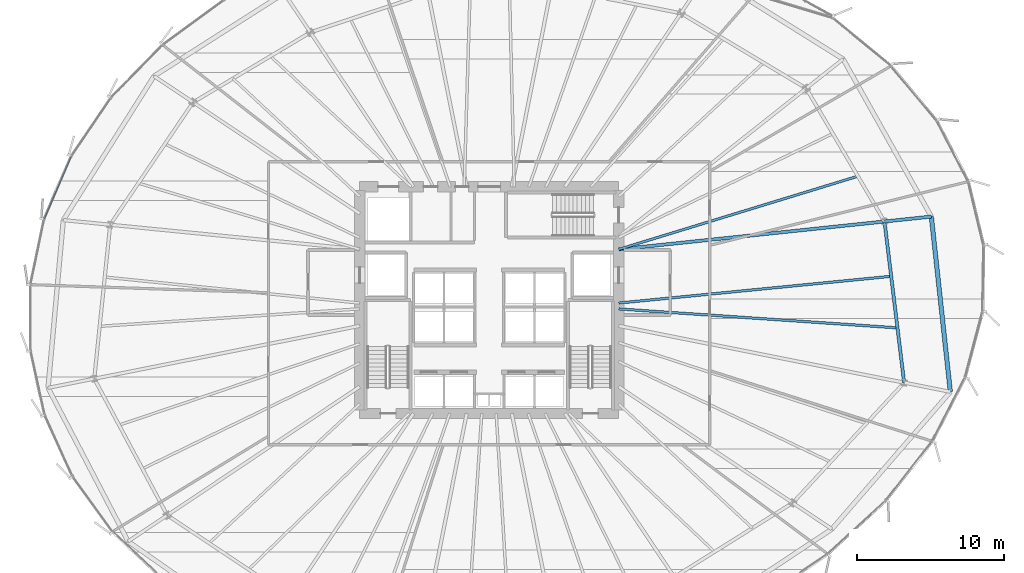
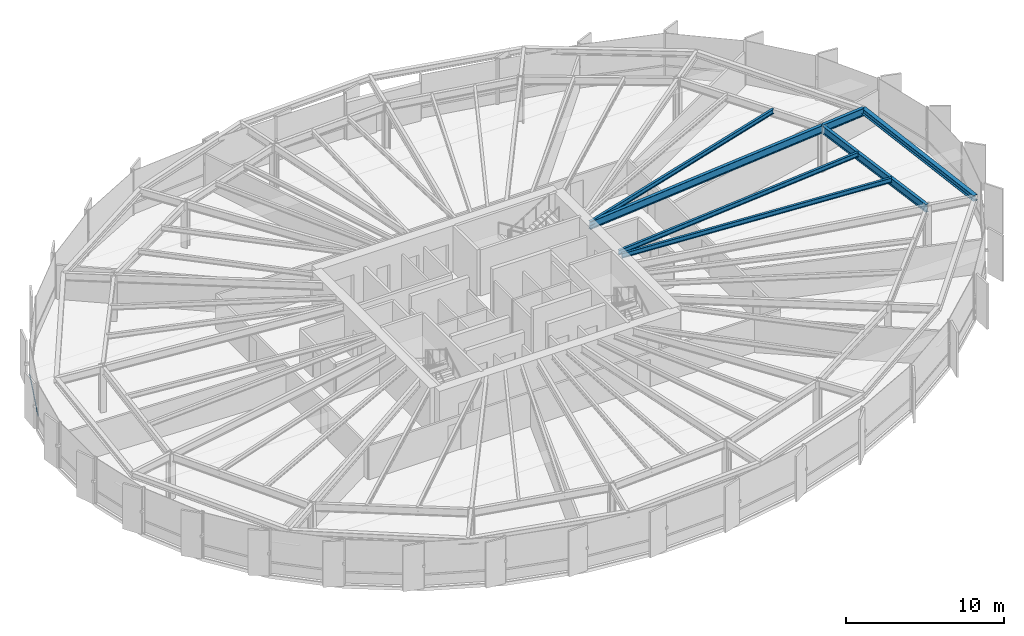
# One storey, part 17 of 37: 7 beams, 1 member, 1 element without a shape of its own.
"""IFC4 building model written with IfcOpenShell, lengths in metres."""

from ifc_helpers import new_model, si_unit, direction, frame, origin, origin_2d, place, context, subcontext, project, spatial, hollow_rectangle, i_section, extrude, source, transform, mapped, material, layer, layer_set, material_profile, profile_set, type_object, element, aggregate, save


model = new_model("IFC4")

# Units and contexts
model_context = context("Model", 3, precision=1e-05, world=origin(), true_north=direction((0.0, 1.0)))
body_context = subcontext(model_context, "Body", "Model", "MODEL_VIEW")
ifc_project = project(units=[si_unit("LENGTHUNIT", "METRE"), si_unit("AREAUNIT", "SQUARE_METRE"), si_unit("VOLUMEUNIT", "CUBIC_METRE"), si_unit("PLANEANGLEUNIT", "RADIAN"), si_unit("MASSUNIT", "GRAM", prefix="KILO"), si_unit("THERMODYNAMICTEMPERATUREUNIT", "KELVIN")], contexts=[model_context])

# Site, building, storey
site_placement = place(None, origin())
site = spatial("IfcSite", under=ifc_project, at=site_placement, CompositionType="ELEMENT")
building_placement = place(site_placement, origin())
building = spatial("IfcBuilding", under=site, at=building_placement, Name="Kethvar Cultural Tower", CompositionType="ELEMENT")
storey_placement = place(building_placement, frame((0.0, 0.0, 56.199951171875)))
storey = spatial("IfcBuildingStorey", under=building, at=storey_placement, Name="L13", CompositionType="ELEMENT", Elevation=56.199951171875)

# Beams
ifc_material_1 = material(Name="Steel S355J2", Category="steel")
ifc_material_profile_1 = material_profile(ifc_material_1, i_section(OverallWidth=0.219970703125, OverallDepth=0.60009765625, WebThickness=0.011962890625, FlangeThickness=0.01904296875, FilletRadius=0.02392578125, at=origin_2d()), Name="Steel S355J2 — IPE600")
ifc_profile_set_1 = profile_set([ifc_material_profile_1], Name="Steel S355J2 — IPE600")
beam_type_1 = type_object("IfcBeamType", Name="BM-IPE600", PredefinedType="BEAM", material=ifc_profile_set_1)
shared_shape_1 = source(origin(), body_context, "Body", "SweptSolid", [
    extrude(i_section(OverallWidth=0.219970703125, OverallDepth=0.60009765625, WebThickness=0.011962890625, FlangeThickness=0.01904296875, FilletRadius=0.02392578125, at=origin_2d()), origin(), (0.0, 0.0, 1.0), 18.155517578125),
])
beam_1_placement = place(storey_placement, frame((55.60009765625, 31.25, 3.248046875), z_axis=(0.994554710129, 0.104215778847, 0.0), x_axis=(-0.104215778847, 0.994554710129, 0.0)))
element("IfcBeam", 1, at=beam_1_placement, inside=storey, type_object=beam_type_1, Name="L13 Primary Radial Beam RB-01", PredefinedType="BEAM", context=body_context, shape_type="MappedRepresentation", body=[
    mapped(shared_shape_1, transform((0.0, 0.0, 0.0), scale=1.0)),
])
shared_shape_2 = source(origin(), body_context, "Body", "SweptSolid", [
    extrude(i_section(OverallWidth=0.219970703125, OverallDepth=0.60009765625, WebThickness=0.011962890625, FlangeThickness=0.01904296875, FilletRadius=0.02392578125, at=origin_2d()), origin(), (0.0, 0.0, 1.0), 3.199951171875),
])
beam_2_placement = place(storey_placement, frame((73.65673828125, 33.14208984375, 3.248046875), z_axis=(0.994554671638, 0.104216146169, 0.0), x_axis=(-0.104216146169, 0.994554671638, 0.0)))
element("IfcBeam", 2, at=beam_2_placement, inside=storey, type_object=beam_type_1, Name="L13 Perimeter Cantilever Beam RC-01", PredefinedType="BEAM", context=body_context, shape_type="MappedRepresentation", body=[
    mapped(shared_shape_2, transform((0.0, 0.0, 0.0), scale=1.0)),
])
ifc_material_profile_2 = material_profile(ifc_material_1, i_section(OverallWidth=0.169921875, OverallDepth=0.360107421875, WebThickness=0.008056640625, FlangeThickness=0.0126953125, FilletRadius=0.01806640625, at=origin_2d()), Name="Steel S355J2 — IPE360")
ifc_profile_set_2 = profile_set([ifc_material_profile_2], Name="Steel S355J2 — IPE360")
beam_type_2 = type_object("IfcBeamType", Name="BM-J360", PredefinedType="JOIST", material=ifc_profile_set_2)
shared_shape_3 = source(origin(), body_context, "Body", "SweptSolid", [
    extrude(i_section(OverallWidth=0.169921875, OverallDepth=0.360107421875, WebThickness=0.008056640625, FlangeThickness=0.0126953125, FilletRadius=0.01806640625, at=origin_2d()), origin(), (0.0, 0.0, 1.0), 16.990478515625),
])
beam_3_placement = place(storey_placement, frame((55.60009765625, 31.25, 3.3681640625), z_axis=(0.956287408668, 0.292428439149, 0.0), x_axis=(-0.292428439149, 0.956287408668, 0.0)))
element("IfcBeam", 3, at=beam_3_placement, inside=storey, type_object=beam_type_2, Name="L13 Composite Floor Joist J-01A", PredefinedType="JOIST", context=body_context, shape_type="MappedRepresentation", body=[
    mapped(shared_shape_3, transform((0.0, 0.0, 0.0), scale=1.0)),
])
shared_shape_4 = source(origin(), body_context, "Body", "SweptSolid", [
    extrude(i_section(OverallWidth=0.219970703125, OverallDepth=0.60009765625, WebThickness=0.011962890625, FlangeThickness=0.01904296875, FilletRadius=0.02392578125, at=origin_2d()), origin(), (0.0, 0.0, 1.0), 11.03076171875),
])
beam_4_placement = place(storey_placement, frame((74.9912109375, 22.1923828125, 3.248046875), z_axis=(-0.120977779442, 0.992655215511, 0.0), x_axis=(-0.992655215511, -0.120977779442, 0.0)))
element("IfcBeam", 4, at=beam_4_placement, inside=storey, type_object=beam_type_1, Name="L13 Column Ring Tie Beam CR-16", PredefinedType="BEAM", context=body_context, shape_type="MappedRepresentation", body=[
    mapped(shared_shape_4, transform((0.0, 0.0, 0.0), scale=1.0)),
])
shared_shape_5 = source(origin(), body_context, "Body", "SweptSolid", [
    extrude(i_section(OverallWidth=0.169921875, OverallDepth=0.360107421875, WebThickness=0.008056640625, FlangeThickness=0.0126953125, FilletRadius=0.01806640625, at=origin_2d()), origin(), (0.0, 0.0, 1.0), 18.981201171875),
])
beam_5_placement = place(storey_placement, frame((55.60009765625, 27.2021484375, 3.3681640625), z_axis=(0.997699141247, -0.067796928805, 0.0), x_axis=(0.067796928805, 0.997699141247, 0.0)))
element("IfcBeam", 5, at=beam_5_placement, inside=storey, type_object=beam_type_2, Name="L13 Composite Floor Joist J-16A", PredefinedType="JOIST", context=body_context, shape_type="MappedRepresentation", body=[
    mapped(shared_shape_5, transform((0.0, 0.0, 0.0), scale=1.0)),
])
shared_shape_6 = source(origin(), body_context, "Body", "SweptSolid", [
    extrude(i_section(OverallWidth=0.169921875, OverallDepth=0.360107421875, WebThickness=0.008056640625, FlangeThickness=0.0126953125, FilletRadius=0.01806640625, at=origin_2d()), origin(), (0.0, 0.0, 1.0), 18.599609375),
])
beam_6_placement = place(storey_placement, frame((55.60009765625, 27.60009765625, 3.3681640625), z_axis=(0.995205855092, 0.097802382335, 0.0), x_axis=(-0.097802382335, 0.995205855092, 0.0)))
element("IfcBeam", 6, at=beam_6_placement, inside=storey, type_object=beam_type_2, Name="L13 Composite Floor Joist J-16B", PredefinedType="JOIST", context=body_context, shape_type="MappedRepresentation", body=[
    mapped(shared_shape_6, transform((0.0, 0.0, 0.0), scale=1.0)),
])
ifc_material_profile_3 = material_profile(ifc_material_1, i_section(OverallWidth=0.300048828125, OverallDepth=0.449951171875, WebThickness=0.013916015625, FlangeThickness=0.02587890625, FilletRadius=0.027099609375, at=origin_2d()), Name="Steel S355J2 — HEB450")
ifc_profile_set_3 = profile_set([ifc_material_profile_3], Name="Steel S355J2 — HEB450")
beam_type_3 = type_object("IfcBeamType", Name="BM-SP450", PredefinedType="SPANDREL", material=ifc_profile_set_3)
shared_shape_7 = source(origin(), body_context, "Body", "SweptSolid", [
    extrude(i_section(OverallWidth=0.300048828125, OverallDepth=0.449951171875, WebThickness=0.013916015625, FlangeThickness=0.02587890625, FilletRadius=0.027099609375, at=origin_2d()), origin(), (0.0, 0.0, 1.0), 11.977294921875),
])
beam_7_placement = place(storey_placement, frame((78.129638671875, 21.568115234375, 3.322998046875), z_axis=(-0.107728520761, 0.994180348737, 0.0), x_axis=(-0.994180348737, -0.107728520761, 0.0)))
element("IfcBeam", 7, at=beam_7_placement, inside=storey, type_object=beam_type_3, Name="L13 Perimeter Spandrel Beam SP-16", PredefinedType="SPANDREL", context=body_context, shape_type="MappedRepresentation", body=[
    mapped(shared_shape_7, transform((0.0, 0.0, 0.0), scale=1.0)),
])

# Curtain wall, member
ifc_material_2 = material(Name="Aluminium 6063-T6", Category="aluminium")
ifc_layer = layer(ifc_material_2, 0.179931640625, Name="Aluminium 6063-T6", Category="aluminium")
ifc_layer_set = layer_set([ifc_layer], Name="Aluminium 6063-T6 (180 mm)")
curtain_wall_type = type_object("IfcCurtainWallType", Name="CW-SYS-02-Z1", PredefinedType="NOTDEFINED", material=ifc_layer_set)
curtain_wall_placement = place(storey_placement, origin())
curtain_wall = element("IfcCurtainWall", 8, at=curtain_wall_placement, inside=storey, type_object=curtain_wall_type, Name="L13 Curtain Wall Run 04", PredefinedType="NOTDEFINED")
ifc_material_profile_4 = material_profile(ifc_material_2, hollow_rectangle(XDim=0.054931640625, YDim=0.1201171875, WallThickness=0.00390625, at=origin_2d()), Name="Aluminium 6063-T6 — RHS120x55x4")
ifc_profile_set_4 = profile_set([ifc_material_profile_4], Name="Aluminium 6063-T6 — RHS120x55x4")
member_type = type_object("IfcMemberType", Name="CW-SYS-02-Z1-TRN", PredefinedType="USERDEFINED", material=ifc_profile_set_4)
shared_shape_8 = source(origin(), body_context, "Body", "SweptSolid", [
    extrude(hollow_rectangle(XDim=0.054931640625, YDim=0.1201171875, WallThickness=0.00390625, at=origin_2d()), origin(), (0.0, 0.0, 1.0), 4.593505859375),
])
member_placement = place(storey_placement, frame((18.397705078125, 37.536376953125, 0.949951171875), z_axis=(-0.396073538278, -0.918218793249, 0.0), x_axis=(0.918218793249, -0.396073538278, 0.0)))
member = element("IfcMember", 9, at=member_placement, type_object=member_type, Name="CW-L13-R04 Transom 2", ObjectType="TRANSOM", PredefinedType="USERDEFINED", context=body_context, shape_type="MappedRepresentation", body=[
    mapped(shared_shape_8, transform((0.0, 0.0, 0.0), scale=1.0)),
])
aggregate(curtain_wall, [member])

save(model, "model.ifc")
